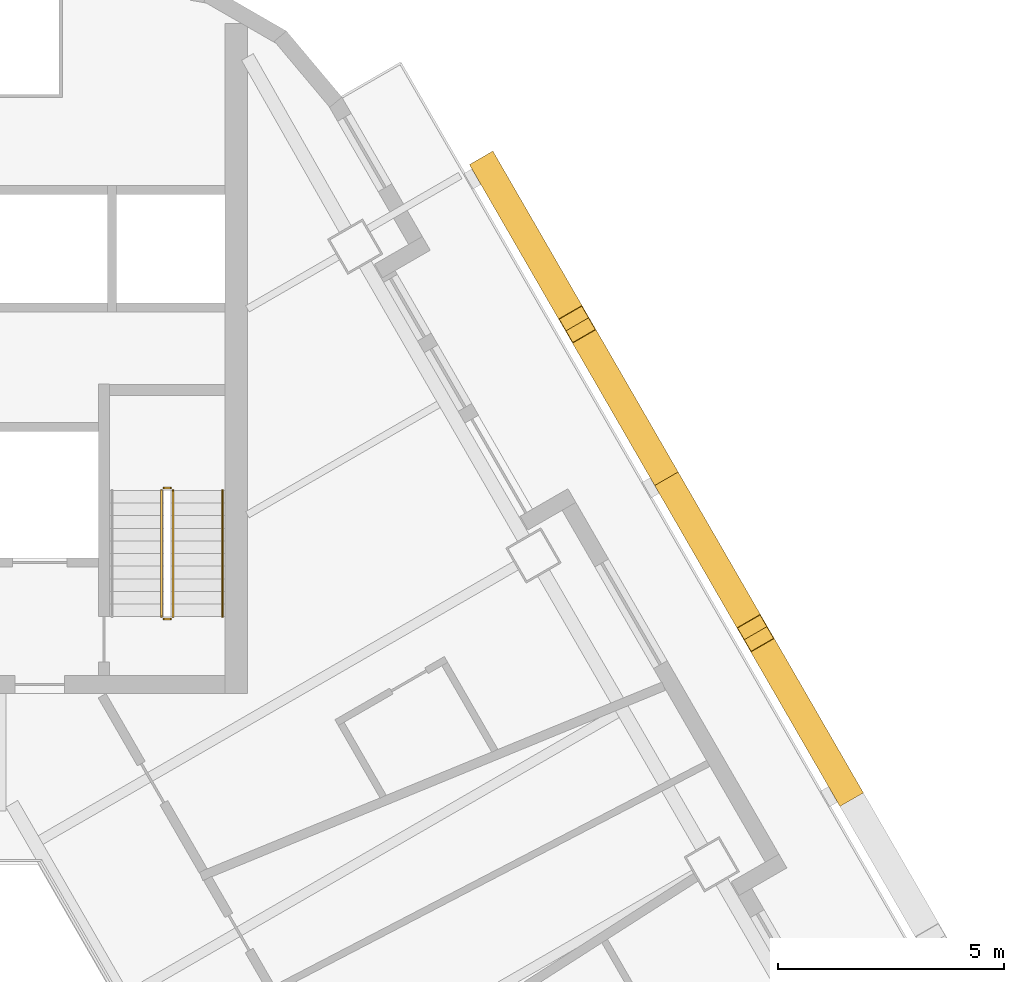
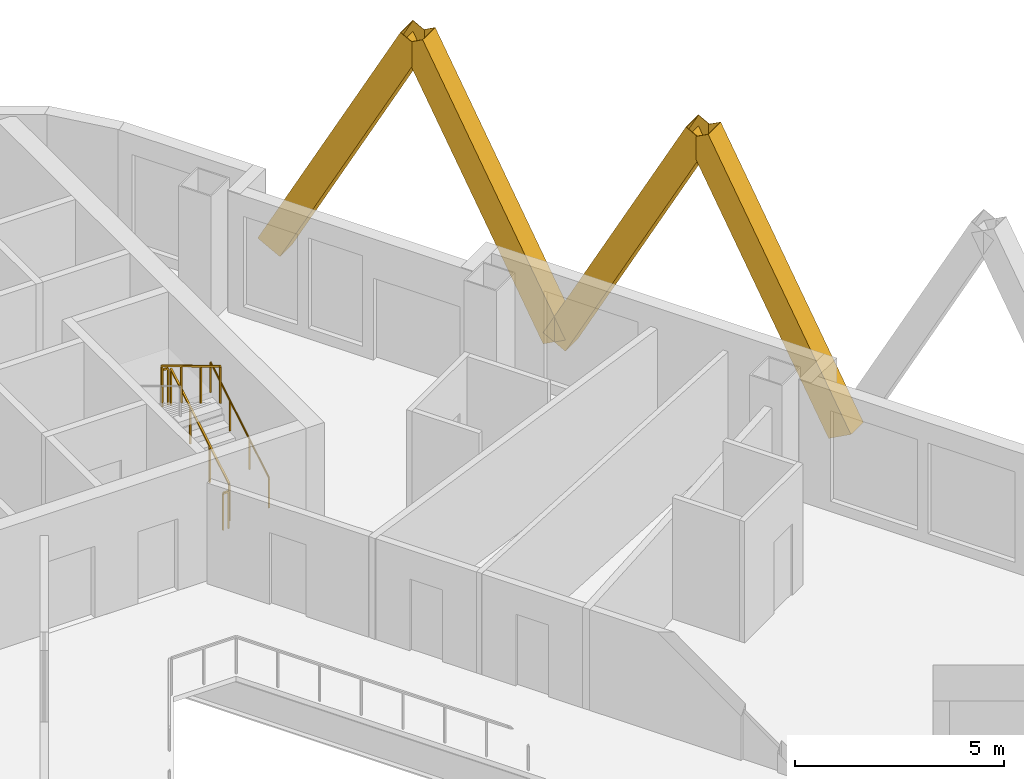
# One storey, part 13 of 13: 5 railings, 4 shading devices.
"""IFC4 building model written with IfcOpenShell, lengths in metres."""

import ifcopenshell
import ifcopenshell.guid

model = None  # the IFC model being written
_history = None  # IfcOwnerHistory: only IFC2X3 demands one
_inside = {}  # id of a spatial element -> (the spatial element, [elements in it])
_under = {}  # id of a project, library or spatial element -> (it, [spatial elements below it])
_declared = {}  # id of a project -> (the project, [libraries it declares])
_typed = {}  # id of a type object -> (the type object, [elements of that type])
_made_of = {}  # id of a material, layer set ... -> (it, [elements and type objects made of it])


def new_model(schema):
    """Start an empty IFC model of exactly this schema.

    Asked for "IFC4X3", IfcOpenShell would pick the latest addendum, in which some entities
    have other attributes; the version numbers below select the first issue.
    IFC2X3 requires an IfcOwnerHistory on every rooted entity: one is made here for all.
    """
    global model, _history
    if schema == "IFC4X3":
        model = ifcopenshell.file(schema_version=(4, 3, 0, 0))
    else:
        model = ifcopenshell.file(schema=schema)
    _inside.clear()
    _under.clear()
    _declared.clear()
    _typed.clear()
    _made_of.clear()
    _history = None
    if model.schema == "IFC2X3":
        org = make("IfcOrganization", Name="unknown")
        user = make(
            "IfcPersonAndOrganization",
            ThePerson=make("IfcPerson", FamilyName="unknown"),
            TheOrganization=org,
        )
        app = make(
            "IfcApplication",
            ApplicationDeveloper=org,
            Version="unknown",
            ApplicationFullName="unknown",
            ApplicationIdentifier="unknown",
        )
        _history = make(
            "IfcOwnerHistory",
            OwningUser=user,
            OwningApplication=app,
            ChangeAction="ADDED",
            CreationDate=0,
        )
    return model


def make(cls, **values):
    """One entity of the class cls with the attributes given. An attribute that is None is left unset."""
    return model.create_entity(
        cls, **{name: value for name, value in values.items() if value is not None}
    )


def rooted(cls, **values):
    """An entity with a GlobalId (a new one), such as an element, a storey or a relation."""
    return make(cls, GlobalId=ifcopenshell.guid.new(), OwnerHistory=_history, **values)


def si_unit(unit_type, name, prefix=None):
    """IfcSIUnit, for example si_unit("LENGTHUNIT", "METRE", prefix="MILLI")."""
    return make("IfcSIUnit", UnitType=unit_type, Prefix=prefix, Name=name)


def assignment(units):
    """IfcUnitAssignment: the units of a project."""
    return None if units is None else make("IfcUnitAssignment", Units=units)


def point(xyz):
    """IfcCartesianPoint."""
    return None if xyz is None else make("IfcCartesianPoint", Coordinates=xyz)


def direction(xyz):
    """IfcDirection."""
    return None if xyz is None else make("IfcDirection", DirectionRatios=xyz)


def frame(location, z_axis=None, x_axis=None):
    """IfcAxis2Placement3D, a coordinate frame: its origin and axes. An axis left out is left unset."""
    return make(
        "IfcAxis2Placement3D",
        Location=point(location),
        Axis=direction(z_axis),
        RefDirection=direction(x_axis),
    )


def frame_2d(location, x_axis=None):
    """IfcAxis2Placement2D, a coordinate frame in the plane: its origin and x axis."""
    return make(
        "IfcAxis2Placement2D", Location=point(location), RefDirection=direction(x_axis)
    )


def origin():
    """The frame at (0, 0, 0) with its axes left unset."""
    return frame((0.0, 0.0, 0.0))


def origin_2d():
    """The frame at (0, 0) in the plane with its x axis left unset."""
    return frame_2d((0.0, 0.0))


def place(relative_to, where):
    """IfcLocalPlacement: puts the frame where relative to a parent placement (None: the world)."""
    return make(
        "IfcLocalPlacement", PlacementRelTo=relative_to, RelativePlacement=where
    )


def context(
    kind, dimensions, precision=None, world=None, true_north=None, identifier=None
):
    """IfcGeometricRepresentationContext, for example the 3D "Model" context."""
    return make(
        "IfcGeometricRepresentationContext",
        ContextIdentifier=identifier,
        ContextType=kind,
        CoordinateSpaceDimension=dimensions,
        Precision=precision,
        WorldCoordinateSystem=world,
        TrueNorth=true_north,
    )


def subcontext(parent, identifier, kind, view, scale=None):
    """IfcGeometricRepresentationSubContext, for example "Body" below "Model"."""
    return make(
        "IfcGeometricRepresentationSubContext",
        ContextIdentifier=identifier,
        ContextType=kind,
        ParentContext=parent,
        TargetScale=scale,
        TargetView=view,
    )


def project(units=None, contexts=None):
    """IfcProject with its units and contexts."""
    return rooted(
        "IfcProject",
        Name="project",
        RepresentationContexts=contexts,
        UnitsInContext=assignment(units),
    )


def spatial(cls, under=None, at=None, **own):
    """A site, building, storey or space (cls), placed at a placement, below another one or the project."""
    s = rooted(cls, ObjectPlacement=at, **own)
    if under is not None:
        _under.setdefault(under.id(), (under, []))[1].append(s)
    return s


def profile(cls, at=None, kind="AREA", **sizes):
    """A parametric profile (cls). Its sizes go by their IFC names, for example OverallWidth=200.0."""
    return make(cls, ProfileType=kind, Position=at, **sizes)


def rectangle(**sizes):
    """IfcRectangleProfileDef."""
    return profile("IfcRectangleProfileDef", **sizes)


def hollow_rectangle(**sizes):
    """IfcRectangleHollowProfileDef."""
    return profile("IfcRectangleHollowProfileDef", **sizes)


def circle(**sizes):
    """IfcCircleProfileDef."""
    return profile("IfcCircleProfileDef", **sizes)


def extrude(swept, where, along, depth):
    """IfcExtrudedAreaSolid: the profile swept, set in the frame where, extruded along a direction by depth."""
    return make(
        "IfcExtrudedAreaSolid",
        SweptArea=swept,
        Position=where,
        ExtrudedDirection=direction(along),
        Depth=depth,
    )


def shape(context_of_items, identifier, shape_type, items):
    """IfcShapeRepresentation: the items that make up one representation, for example the "Body"."""
    return make(
        "IfcShapeRepresentation",
        ContextOfItems=context_of_items,
        RepresentationIdentifier=identifier,
        RepresentationType=shape_type,
        Items=items,
    )


def material(Name=None, Category=None):
    """IfcMaterial."""
    return make("IfcMaterial", Name=Name, Category=Category)


def material_profile(
    of_material, cross_section, Name=None, Category=None, Priority=None
):
    """IfcMaterialProfile: a cross section and its material."""
    return make(
        "IfcMaterialProfile",
        Name=Name,
        Material=of_material,
        Profile=cross_section,
        Priority=Priority,
        Category=Category,
    )


def profile_set(profiles, Name=None, composite=None):
    """IfcMaterialProfileSet."""
    return make(
        "IfcMaterialProfileSet",
        Name=Name,
        MaterialProfiles=profiles,
        CompositeProfile=composite,
    )


def made_of(thing, what):
    """Note that an element or type object is made of a material, layer set ...; save() writes the relation."""
    if what is not None:
        _made_of.setdefault(what.id(), (what, []))[1].append(thing)
    return thing


def type_object(cls, material=None, **own):
    """A type object (cls), such as IfcWallType, which elements share."""
    return made_of(rooted(cls, **own), material)


def element(
    cls,
    number,
    at=None,
    inside=None,
    cuts=None,
    type_object=None,
    material=None,
    context=None,
    identifier="Body",
    shape_type=None,
    held_by="IfcProductDefinitionShape",
    body=None,
    shapes=None,
    **own,
):
    """One element of the class cls, such as IfcWall. Its Tag is "e" and its number.

    at: its placement. inside: the storey or other place that contains it. cuts: it is an
    opening in that element (IfcRelVoidsElement). A single representation is given by context,
    identifier, shape_type and body (its items); several are given by shapes. held_by: the class
    of the entity that holds the representations. save() writes the other relations.
    """
    e = rooted(cls, Tag="e%d" % number, ObjectPlacement=at, **own)
    if body is not None:
        shapes = [shape(context, identifier, shape_type, body)]
    if shapes is not None:
        e.Representation = make(held_by, Representations=shapes)
    if inside is not None:
        _inside.setdefault(inside.id(), (inside, []))[1].append(e)
    if cuts is not None:
        rooted(
            "IfcRelVoidsElement", RelatingBuildingElement=cuts, RelatedOpeningElement=e
        )
    if type_object is not None:
        _typed.setdefault(type_object.id(), (type_object, []))[1].append(e)
    return made_of(e, material)


def aggregate(whole, parts):
    """IfcRelAggregates: a whole, such as a stair, and the parts it consists of."""
    return rooted("IfcRelAggregates", RelatingObject=whole, RelatedObjects=parts)


def save(model, path):
    """Write the relations noted so far, then the file.

    IfcRelAggregates (storeys below a building ...), IfcRelContainedInSpatialStructure (elements
    in a storey), IfcRelDefinesByType, IfcRelAssociatesMaterial and IfcRelDeclares: one each for
    every whole, place, type object, material and project.
    """
    for whole, parts in _under.values():
        aggregate(whole, parts)
    for where, things in _inside.values():
        rooted(
            "IfcRelContainedInSpatialStructure",
            RelatedElements=things,
            RelatingStructure=where,
        )
    for kind, things in _typed.values():
        rooted("IfcRelDefinesByType", RelatedObjects=things, RelatingType=kind)
    for what, things in _made_of.values():
        rooted("IfcRelAssociatesMaterial", RelatedObjects=things, RelatingMaterial=what)
    for by, libraries in _declared.values():
        rooted("IfcRelDeclares", RelatingContext=by, RelatedDefinitions=libraries)
    model.write(path)


model = new_model("IFC4")

# Units and contexts
model_context = context("Model", 3, precision=1e-05, world=origin(), true_north=direction((0.0, 1.0)))
body_context = subcontext(model_context, "Body", "Model", "MODEL_VIEW")
ifc_project = project(units=[si_unit("LENGTHUNIT", "METRE"), si_unit("AREAUNIT", "SQUARE_METRE"), si_unit("VOLUMEUNIT", "CUBIC_METRE"), si_unit("PLANEANGLEUNIT", "RADIAN"), si_unit("MASSUNIT", "GRAM", prefix="KILO")], contexts=[model_context])

# Site, building, storey
site_placement = place(None, origin())
site = spatial("IfcSite", under=ifc_project, at=site_placement, CompositionType="ELEMENT")
building_placement = place(site_placement, origin())
building = spatial("IfcBuilding", under=site, at=building_placement, Name="Apuvela Tower Hotel", CompositionType="ELEMENT")
storey_placement = place(building_placement, frame((0.0, 0.0, 105.699951171875)))
storey = spatial("IfcBuildingStorey", under=building, at=storey_placement, Name="L24", CompositionType="ELEMENT", Elevation=105.699951171875)

# Railings
ifc_material_1 = material(Name="Steel S275 balustrade", Category="steel")
railing_type_1 = type_object("IfcRailingType", Name="COR-GUARD-1100", PredefinedType="GUARDRAIL", material=ifc_material_1)
railing_1_placement = place(storey_placement, frame((3.85009765625, 14.60009765625, 0.168212890625)))
element("IfcRailing", 1, at=railing_1_placement, inside=storey, type_object=railing_type_1, Name="L24 ST1 stair guard 1", PredefinedType="GUARDRAIL", context=body_context, shape_type="SweptSolid", body=[
    extrude(rectangle(XDim=0.048095703125, YDim=0.048095703125, at=origin_2d()), frame((0.0, 0.0, 1.076171875), z_axis=(0.0, 0.857222391501, 0.514946377315), x_axis=(-1.0, 0.0, 0.0)), (0.0, 0.0, 1.0), 3.26611328125),
    extrude(rectangle(XDim=0.0419921875, YDim=0.0419921875, at=origin_2d()), origin(), (0.0, 0.0, 1.0), 1.052001953125),
    extrude(rectangle(XDim=0.0419921875, YDim=0.0419921875, at=origin_2d()), frame((0.0, 0.933349609375, 0.560546875)), (0.0, 0.0, 1.0), 1.052001953125),
    extrude(rectangle(XDim=0.0419921875, YDim=0.0419921875, at=origin_2d()), frame((0.0, 1.866455078125, 1.121337890625)), (0.0, 0.0, 1.0), 1.052001953125),
    extrude(rectangle(XDim=0.0419921875, YDim=0.0419921875, at=origin_2d()), frame((0.0, 2.7998046875, 1.681884765625)), (0.0, 0.0, 1.0), 1.052001953125),
])
railing_2_placement = place(storey_placement, frame((3.800048828125, 17.449951171875, 1.85009765625)))
element("IfcRailing", 2, at=railing_2_placement, inside=storey, type_object=railing_type_1, Name="L24 ST1 stair guard 2", PredefinedType="GUARDRAIL", context=body_context, shape_type="SweptSolid", body=[
    extrude(rectangle(XDim=0.048095703125, YDim=0.048095703125, at=origin_2d()), frame((0.0, 0.0, 1.076171875), z_axis=(-1.0, 0.0, 0.0), x_axis=(0.0, -1.0, 0.0)), (0.0, 0.0, 1.0), 0.150146484375),
    extrude(rectangle(XDim=0.0419921875, YDim=0.0419921875, at=origin_2d()), origin(), (0.0, 0.0, 1.0), 1.052001953125),
    extrude(rectangle(XDim=0.0419921875, YDim=0.0419921875, at=origin_2d()), frame((-0.150146484375, 0.0, 0.0)), (0.0, 0.0, 1.0), 1.052001953125),
])
railing_3_placement = place(storey_placement, frame((3.60009765625, 17.39990234375, 2.018310546875)))
element("IfcRailing", 3, at=railing_3_placement, inside=storey, type_object=railing_type_1, Name="L24 ST1 stair guard 3", PredefinedType="GUARDRAIL", context=body_context, shape_type="SweptSolid", body=[
    extrude(rectangle(XDim=0.048095703125, YDim=0.048095703125, at=origin_2d()), frame((0.0, 0.0, 1.076171875), z_axis=(0.0, -0.857255387014, 0.514891446264), x_axis=(1.0, 0.0, 0.0)), (0.0, 0.0, 1.0), 3.26611328125),
    extrude(rectangle(XDim=0.0419921875, YDim=0.0419921875, at=origin_2d()), origin(), (0.0, 0.0, 1.0), 1.052001953125),
    extrude(rectangle(XDim=0.0419921875, YDim=0.0419921875, at=origin_2d()), frame((0.0, -0.933349609375, 0.560546875)), (0.0, 0.0, 1.0), 1.052001953125),
    extrude(rectangle(XDim=0.0419921875, YDim=0.0419921875, at=origin_2d()), frame((0.0, -1.866455078125, 1.12109375)), (0.0, 0.0, 1.0), 1.052001953125),
    extrude(rectangle(XDim=0.0419921875, YDim=0.0419921875, at=origin_2d()), frame((0.0, -2.7998046875, 1.681640625)), (0.0, 0.0, 1.0), 1.052001953125),
])
railing_4_placement = place(storey_placement, frame((3.800048828125, 14.550048828125, 0.0)))
element("IfcRailing", 4, at=railing_4_placement, inside=storey, type_object=railing_type_1, Name="L24 ST1 stair guard 4", PredefinedType="GUARDRAIL", context=body_context, shape_type="SweptSolid", body=[
    extrude(rectangle(XDim=0.048095703125, YDim=0.048095703125, at=origin_2d()), frame((0.0, 0.0, 1.076171875), z_axis=(-1.0, 0.0, 0.0), x_axis=(0.0, -1.0, 0.0)), (0.0, 0.0, 1.0), 0.150146484375),
    extrude(rectangle(XDim=0.0419921875, YDim=0.0419921875, at=origin_2d()), origin(), (0.0, 0.0, 1.0), 1.052001953125),
    extrude(rectangle(XDim=0.0419921875, YDim=0.0419921875, at=origin_2d()), frame((-0.150146484375, 0.0, 0.0)), (0.0, 0.0, 1.0), 1.052001953125),
])
ifc_material_2 = material(Name="Stainless steel 316 handrail", Category="steel")
railing_type_2 = type_object("IfcRailingType", Name="COR-HANDRAIL-900", PredefinedType="HANDRAIL", material=ifc_material_2)
railing_5_placement = place(storey_placement, frame((4.949951171875, 14.60009765625, 0.168212890625)))
element("IfcRailing", 5, at=railing_5_placement, inside=storey, type_object=railing_type_2, Name="L24 ST1 stair handrail 1", PredefinedType="HANDRAIL", context=body_context, shape_type="SweptSolid", body=[
    extrude(circle(Radius=0.02392578125, at=origin_2d()), frame((0.0, 0.0, 0.8759765625), z_axis=(0.0, 0.857222391501, 0.514946377315), x_axis=(-1.0, 0.0, 0.0)), (0.0, 0.0, 1.0), 3.26611328125),
    extrude(rectangle(XDim=0.0419921875, YDim=0.0419921875, at=origin_2d()), origin(), (0.0, 0.0, 1.0), 0.851806640625),
    extrude(rectangle(XDim=0.0419921875, YDim=0.0419921875, at=origin_2d()), frame((0.0, 0.933349609375, 0.560546875)), (0.0, 0.0, 1.0), 0.851806640625),
    extrude(rectangle(XDim=0.0419921875, YDim=0.0419921875, at=origin_2d()), frame((0.0, 1.866455078125, 1.121337890625)), (0.0, 0.0, 1.0), 0.851806640625),
    extrude(rectangle(XDim=0.0419921875, YDim=0.0419921875, at=origin_2d()), frame((0.0, 2.7998046875, 1.681884765625)), (0.0, 0.0, 1.0), 0.851806640625),
])

# Shading devices
ifc_material_3 = material(Name="Aluminium 6063-T6, black anodised", Category="aluminium")
ifc_material_profile = material_profile(ifc_material_3, hollow_rectangle(XDim=0.60009765625, YDim=0.699951171875, WallThickness=0.011962890625, at=origin_2d()), Name="AL BOX 700x600x12")
ifc_profile_set = profile_set([ifc_material_profile], Name="Aluminium 6063-T6, black anodised")
shading_device_type = type_object("IfcShadingDeviceType", Name="ENV-FIN-700x600", PredefinedType="USERDEFINED", material=ifc_profile_set)
for number, where, z_axis, x_axis, name in (
    (6, (18.732177734375, 10.81494140625, -0.099853515625), (-0.235461085354, 0.407822092458, 0.882178677019), (-0.866020906874, -0.500007788796, 0.0), "Lattice fin NE213"),
    (7, (14.781982421875, 17.656494140625, -0.099853515625), (0.235463880167, -0.407797827568, 0.882189148067), (0.866005453737, 0.500034552904, 0.0), "Lattice fin NE214"),
    (8, (14.781982421875, 17.656494140625, -0.099853515625), (-0.235433593518, 0.407824887177, 0.882184722404), (-0.866047669374, -0.499961432884, 0.0), "Lattice fin NE215"),
    (9, (10.83203125, 24.498291015625, -0.099853515625), (0.235461085354, -0.407822092458, 0.882178677019), (0.866020906874, 0.500007788796, 0.0), "Lattice fin NE216"),
):
    element("IfcShadingDevice", number, at=place(storey_placement, frame(where, z_axis=z_axis, x_axis=x_axis)), inside=storey, type_object=shading_device_type, Name=name, ObjectType="FIN", PredefinedType="USERDEFINED", context=body_context, shape_type="SweptSolid", body=[
        extrude(hollow_rectangle(XDim=0.60009765625, YDim=0.699951171875, WallThickness=0.011962890625, at=origin_2d()), origin(), (0.0, 0.0, 1.0), 8.38818359375),
    ])

save(model, "model.ifc")
